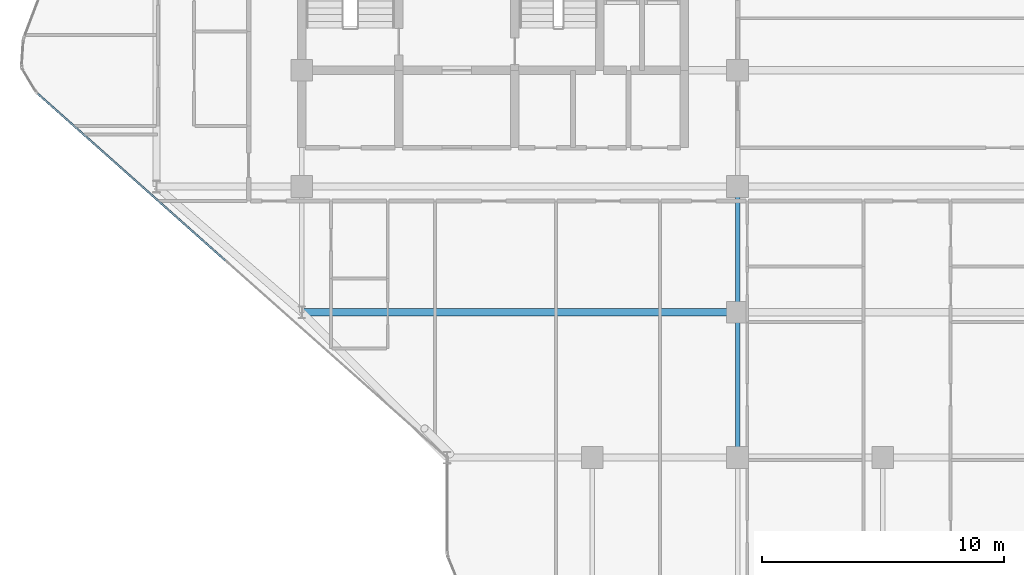
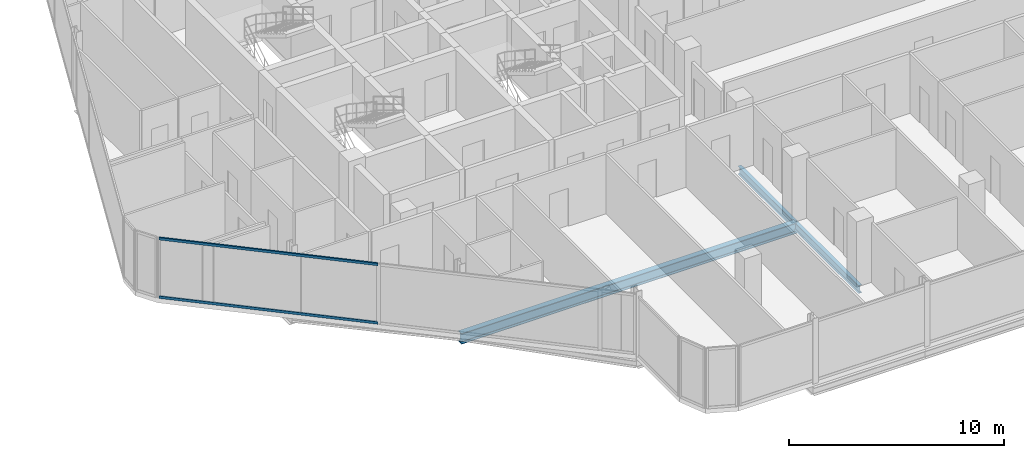
# One storey, part 6 of 31: 3 beams, 2 members, 1 element without a shape of its own.
"""IFC4 building model written with IfcOpenShell, lengths in metres."""

from ifc_helpers import new_model, si_unit, direction, frame, origin, origin_2d, place, context, subcontext, project, spatial, hollow_rectangle, i_section, extrude, material, layer, layer_set, material_profile, profile_set, type_object, element, aggregate, save


model = new_model("IFC4")

# Units and contexts
model_context = context("Model", 3, precision=1e-05, world=origin(), true_north=direction((0.0, 1.0)))
body_context = subcontext(model_context, "Body", "Model", "MODEL_VIEW")
ifc_project = project(units=[si_unit("LENGTHUNIT", "METRE"), si_unit("AREAUNIT", "SQUARE_METRE"), si_unit("VOLUMEUNIT", "CUBIC_METRE"), si_unit("PLANEANGLEUNIT", "RADIAN"), si_unit("MASSUNIT", "GRAM", prefix="KILO")], contexts=[model_context])

# Site, building, storey
site_placement = place(None, origin())
site = spatial("IfcSite", under=ifc_project, at=site_placement, CompositionType="ELEMENT")
building_placement = place(site_placement, origin())
building = spatial("IfcBuilding", under=site, at=building_placement, Name="Keshet Zoharim Tower", CompositionType="ELEMENT")
storey_placement = place(building_placement, frame((0.0, 0.0, 144.60009765625)))
storey = spatial("IfcBuildingStorey", under=building, at=storey_placement, Name="L35", CompositionType="ELEMENT", Elevation=144.60009765625)

# Beams
ifc_material_1 = material(Name="Steel S355", Category="steel")
ifc_material_profile_1 = material_profile(ifc_material_1, i_section(OverallWidth=0.300048828125, OverallDepth=0.60009765625, WebThickness=0.015380859375, FlangeThickness=0.030029296875, FilletRadius=0.027099609375, at=origin_2d()), Name="HEB600")
ifc_profile_set_1 = profile_set([ifc_material_profile_1], Name="Steel S355")
beam_type_1 = type_object("IfcBeamType", Name="BM-LNG-HB600", PredefinedType="BEAM", material=ifc_profile_set_1)
beam_1_placement = place(storey_placement, frame((15.0, 12.699951171875, -0.614990234375), z_axis=(1.0, 0.0, 0.0), x_axis=(0.0, 1.0, 0.0)))
element("IfcBeam", 1, at=beam_1_placement, inside=storey, type_object=beam_type_1, Name="L35 Primary Girder X-009", PredefinedType="BEAM", context=body_context, shape_type="SweptSolid", body=[
    extrude(i_section(OverallWidth=0.300048828125, OverallDepth=0.60009765625, WebThickness=0.015380859375, FlangeThickness=0.030029296875, FilletRadius=0.027099609375, at=origin_2d()), origin(), (0.0, 0.0, 1.0), 18.0),
])
ifc_material_profile_2 = material_profile(ifc_material_1, i_section(OverallWidth=0.18994140625, OverallDepth=0.449951171875, WebThickness=0.009521484375, FlangeThickness=0.0146484375, FilletRadius=0.02099609375, at=origin_2d()), Name="IPE450")
ifc_profile_set_2 = profile_set([ifc_material_profile_2], Name="Steel S355")
beam_type_2 = type_object("IfcBeamType", Name="BM-PRI-IP450", PredefinedType="BEAM", material=ifc_profile_set_2)
beam_2_placement = place(storey_placement, frame((33.0, 6.699951171875, -0.5400390625), z_axis=(0.0, 1.0, 0.0), x_axis=(-1.0, 0.0, 0.0)))
element("IfcBeam", 2, at=beam_2_placement, inside=storey, type_object=beam_type_2, Name="L35 Primary Girder Y-006", PredefinedType="BEAM", context=body_context, shape_type="SweptSolid", body=[
    extrude(i_section(OverallWidth=0.18994140625, OverallDepth=0.449951171875, WebThickness=0.009521484375, FlangeThickness=0.0146484375, FilletRadius=0.02099609375, at=origin_2d()), origin(), (0.0, 0.0, 1.0), 6.0),
])
beam_3_placement = place(storey_placement, frame((33.0, 12.699951171875, -0.5400390625), z_axis=(0.0, 1.0, 0.0), x_axis=(-1.0, 0.0, 0.0)))
element("IfcBeam", 3, at=beam_3_placement, inside=storey, type_object=beam_type_2, Name="L35 Primary Girder Y-007", PredefinedType="BEAM", context=body_context, shape_type="SweptSolid", body=[
    extrude(i_section(OverallWidth=0.18994140625, OverallDepth=0.449951171875, WebThickness=0.009521484375, FlangeThickness=0.0146484375, FilletRadius=0.02099609375, at=origin_2d()), origin(), (0.0, 0.0, 1.0), 5.199951171875),
])

# Curtain wall, members
ifc_material_2 = material(Name="Aluminium 6063-T6", Category="aluminium")
ifc_layer = layer(ifc_material_2, 0.159912109375)
ifc_layer_set = layer_set([ifc_layer], Name="Aluminium 6063-T6")
curtain_wall_type = type_object("IfcCurtainWallType", Name="CW-SYS-03", PredefinedType="NOTDEFINED", material=ifc_layer_set)
curtain_wall_placement = place(storey_placement, origin())
curtain_wall = element("IfcCurtainWall", 4, at=curtain_wall_placement, inside=storey, type_object=curtain_wall_type, Name="L35 Unitised Curtain Wall 07 Part 2", PredefinedType="NOTDEFINED")
ifc_material_profile_3 = material_profile(ifc_material_2, hollow_rectangle(XDim=0.080078125, YDim=0.139892578125, WallThickness=0.00390625, at=origin_2d()), Name="TRN-80x140")
ifc_profile_set_3 = profile_set([ifc_material_profile_3], Name="Aluminium 6063-T6")
member_type = type_object("IfcMemberType", Name="CWT-T14", PredefinedType="USERDEFINED", material=ifc_profile_set_3)
member_1_placement = place(storey_placement, frame((11.8388671875, 14.84326171875, 0.034912109375), z_axis=(-0.747411916254, 0.664360916552, 0.0), x_axis=(-0.664360916552, -0.747411916254, 0.0)))
member_1 = element("IfcMember", 5, at=member_1_placement, type_object=member_type, Name="CW-03 transom 2.1", ObjectType="TRANSOM", PredefinedType="USERDEFINED", context=body_context, shape_type="SweptSolid", body=[
    extrude(hollow_rectangle(XDim=0.080078125, YDim=0.139892578125, WallThickness=0.00390625, at=origin_2d()), origin(), (0.0, 0.0, 1.0), 10.37109375),
])
member_2_placement = place(storey_placement, frame((11.8388671875, 14.84326171875, 3.349853515625), z_axis=(-0.747411916254, 0.664360916552, 0.0), x_axis=(-0.664360916552, -0.747411916254, 0.0)))
member_2 = element("IfcMember", 6, at=member_2_placement, type_object=member_type, Name="CW-03 transom 2.2", ObjectType="TRANSOM", PredefinedType="USERDEFINED", context=body_context, shape_type="SweptSolid", body=[
    extrude(hollow_rectangle(XDim=0.080078125, YDim=0.139892578125, WallThickness=0.00390625, at=origin_2d()), origin(), (0.0, 0.0, 1.0), 10.37109375),
])
aggregate(curtain_wall, [member_1, member_2])

save(model, "model.ifc")
